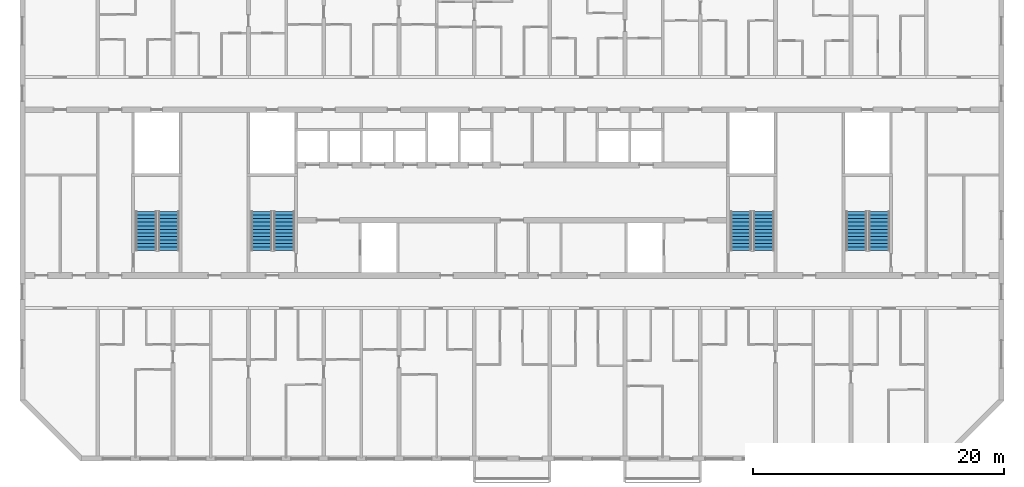
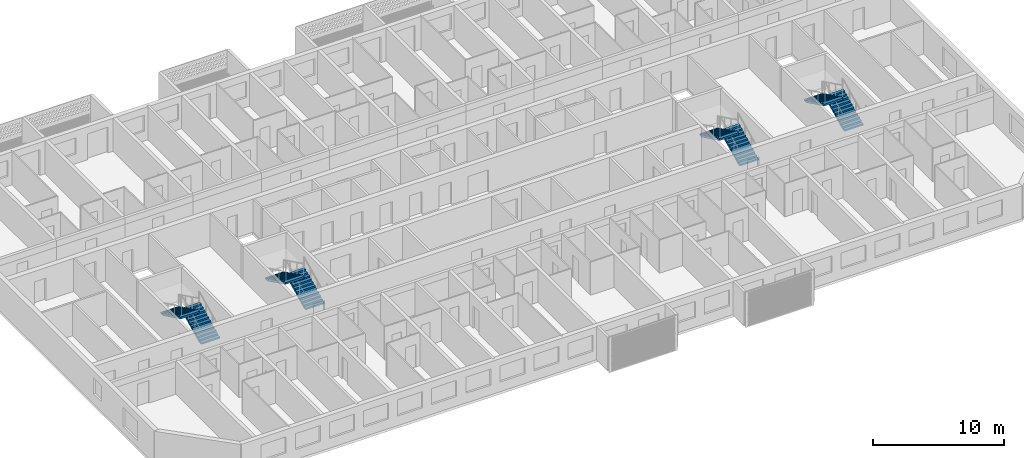
# One storey, part 13 of 31: 8 stair flights, 4 elements without a shape of their own.
"""IFC4 building model written with IfcOpenShell, lengths in metres."""

from ifc_helpers import new_model, si_unit, direction, frame, origin, place, context, subcontext, project, spatial, polyline, outline, extrude, material, layer, layer_set, type_object, element, aggregate, save


model = new_model("IFC4")

# Units and contexts
model_context = context("Model", 3, precision=1e-05, world=origin(), true_north=direction((0.0, 1.0)))
body_context = subcontext(model_context, "Body", "Model", "MODEL_VIEW")
ifc_project = project(units=[si_unit("LENGTHUNIT", "METRE"), si_unit("AREAUNIT", "SQUARE_METRE"), si_unit("VOLUMEUNIT", "CUBIC_METRE"), si_unit("PLANEANGLEUNIT", "RADIAN"), si_unit("MASSUNIT", "GRAM", prefix="KILO")], contexts=[model_context])

# Site, building, storey
site_placement = place(None, origin())
site = spatial("IfcSite", under=ifc_project, at=site_placement, CompositionType="ELEMENT")
building_placement = place(site_placement, origin())
building = spatial("IfcBuilding", under=site, at=building_placement, Name="Poui Terraces", CompositionType="ELEMENT")
storey_placement = place(building_placement, frame((0.0, 0.0, 142.199951171875)))
storey = spatial("IfcBuildingStorey", under=building, at=storey_placement, Name="L39", CompositionType="ELEMENT", Elevation=142.199951171875)

# Stair, stair flights
ifc_material = material(Name="Concrete 65 MPa", Category="concrete")
stair_type = type_object("IfcStairType", Name="EXIT STAIR 1650 65 MPA", PredefinedType="HALF_TURN_STAIR", material=ifc_material)
stair_1_placement = place(storey_placement, origin())
stair_1 = element("IfcStair", 1, at=stair_1_placement, inside=storey, type_object=stair_type, Name="L39 CORE STAIR EAST", PredefinedType="HALF_TURN_STAIR")
ifc_layer = layer(ifc_material, 0.14990234375)
ifc_layer_set = layer_set([ifc_layer], Name="Concrete 65 MPa")
stair_flight_type = type_object("IfcStairFlightType", Name="STAIR FLIGHT 12 RISERS 138 RISE 65 MPA", PredefinedType="STRAIGHT", material=ifc_layer_set)
stair_flight_1_placement = place(storey_placement, frame((71.050048828125, 16.60009765625, 0.0), z_axis=(0.0, 0.0, 1.0), x_axis=(0.0, 1.0, 0.0)))
stair_flight_1 = element("IfcStairFlight", 2, at=stair_flight_1_placement, type_object=stair_flight_type, Name="ST-CE flight 1", NumberOfRisers=12, NumberOfTreads=11, PredefinedType="STRAIGHT", RiserHeight=0.1375, TreadLength=0.28, context=body_context, shape_type="SweptSolid", body=[
    extrude(outline(polyline([(0.0, 0.0), (0.0, 0.137451171875), (0.280029296875, 0.137451171875), (0.280029296875, 0.27490234375), (0.56005859375, 0.27490234375), (0.56005859375, 0.41259765625), (0.840087890625, 0.41259765625), (0.840087890625, 0.550048828125), (1.1201171875, 0.550048828125), (1.1201171875, 0.6875), (1.39990234375, 0.6875), (1.39990234375, 0.824951171875), (1.679931640625, 0.824951171875), (1.679931640625, 0.96240234375), (1.9599609375, 0.96240234375), (1.9599609375, 1.10009765625), (2.239990234375, 1.10009765625), (2.239990234375, 1.237548828125), (2.52001953125, 1.237548828125), (2.52001953125, 1.375), (2.800048828125, 1.375), (2.800048828125, 1.512451171875), (3.080078125, 1.512451171875), (3.080078125, 1.64990234375), (3.080078125, 1.345458984375), (0.340087890625, 0.0), (0.0, 0.0)])), frame((0.0, 0.824951171875, 0.0), z_axis=(0.0, -1.0, 0.0), x_axis=(1.0, 0.0, 0.0)), (0.0, 0.0, 1.0), 1.64990234375),
])
stair_flight_2_placement = place(storey_placement, frame((69.25, 19.679931640625, 1.650146484375), z_axis=(0.0, 0.0, 1.0), x_axis=(0.0, -1.0, 0.0)))
stair_flight_2 = element("IfcStairFlight", 3, at=stair_flight_2_placement, type_object=stair_flight_type, Name="ST-CE flight 2", NumberOfRisers=12, NumberOfTreads=11, PredefinedType="STRAIGHT", RiserHeight=0.1375, TreadLength=0.28, context=body_context, shape_type="SweptSolid", body=[
    extrude(outline(polyline([(0.0, 0.0), (0.0, 0.137451171875), (0.280029296875, 0.137451171875), (0.280029296875, 0.27490234375), (0.56005859375, 0.27490234375), (0.56005859375, 0.41259765625), (0.840087890625, 0.41259765625), (0.840087890625, 0.550048828125), (1.1201171875, 0.550048828125), (1.1201171875, 0.6875), (1.39990234375, 0.6875), (1.39990234375, 0.824951171875), (1.679931640625, 0.824951171875), (1.679931640625, 0.96240234375), (1.9599609375, 0.96240234375), (1.9599609375, 1.10009765625), (2.239990234375, 1.10009765625), (2.239990234375, 1.237548828125), (2.52001953125, 1.237548828125), (2.52001953125, 1.375), (2.800048828125, 1.375), (2.800048828125, 1.512451171875), (3.080078125, 1.512451171875), (3.080078125, 1.64990234375), (3.080078125, 1.345458984375), (0.340087890625, 0.0), (0.0, 0.0)])), frame((0.0, 0.824951171875, 0.0), z_axis=(0.0, -1.0, 0.0), x_axis=(1.0, 0.0, 0.0)), (0.0, 0.0, 1.0), 1.64990234375),
])
aggregate(stair_1, [stair_flight_1, stair_flight_2])

stair_2_placement = place(storey_placement, origin())
stair_2 = element("IfcStair", 4, at=stair_2_placement, inside=storey, type_object=stair_type, Name="L39 CORE STAIR WEST", PredefinedType="HALF_TURN_STAIR")
stair_flight_3_placement = place(storey_placement, frame((32.85009765625, 16.60009765625, 0.0), z_axis=(0.0, 0.0, 1.0), x_axis=(0.0, 1.0, 0.0)))
stair_flight_3 = element("IfcStairFlight", 5, at=stair_flight_3_placement, type_object=stair_flight_type, Name="ST-CW flight 1", NumberOfRisers=12, NumberOfTreads=11, PredefinedType="STRAIGHT", RiserHeight=0.1375, TreadLength=0.28, context=body_context, shape_type="SweptSolid", body=[
    extrude(outline(polyline([(0.0, 0.0), (0.0, 0.137451171875), (0.280029296875, 0.137451171875), (0.280029296875, 0.27490234375), (0.56005859375, 0.27490234375), (0.56005859375, 0.41259765625), (0.840087890625, 0.41259765625), (0.840087890625, 0.550048828125), (1.1201171875, 0.550048828125), (1.1201171875, 0.6875), (1.39990234375, 0.6875), (1.39990234375, 0.824951171875), (1.679931640625, 0.824951171875), (1.679931640625, 0.96240234375), (1.9599609375, 0.96240234375), (1.9599609375, 1.10009765625), (2.239990234375, 1.10009765625), (2.239990234375, 1.237548828125), (2.52001953125, 1.237548828125), (2.52001953125, 1.375), (2.800048828125, 1.375), (2.800048828125, 1.512451171875), (3.080078125, 1.512451171875), (3.080078125, 1.64990234375), (3.080078125, 1.345458984375), (0.340087890625, 0.0), (0.0, 0.0)])), frame((0.0, 0.824951171875, 0.0), z_axis=(0.0, -1.0, 0.0), x_axis=(1.0, 0.0, 0.0)), (0.0, 0.0, 1.0), 1.64990234375),
])
stair_flight_4_placement = place(storey_placement, frame((31.050048828125, 19.679931640625, 1.650146484375), z_axis=(0.0, 0.0, 1.0), x_axis=(0.0, -1.0, 0.0)))
stair_flight_4 = element("IfcStairFlight", 6, at=stair_flight_4_placement, type_object=stair_flight_type, Name="ST-CW flight 2", NumberOfRisers=12, NumberOfTreads=11, PredefinedType="STRAIGHT", RiserHeight=0.1375, TreadLength=0.28, context=body_context, shape_type="SweptSolid", body=[
    extrude(outline(polyline([(0.0, 0.0), (0.0, 0.137451171875), (0.280029296875, 0.137451171875), (0.280029296875, 0.27490234375), (0.56005859375, 0.27490234375), (0.56005859375, 0.41259765625), (0.840087890625, 0.41259765625), (0.840087890625, 0.550048828125), (1.1201171875, 0.550048828125), (1.1201171875, 0.6875), (1.39990234375, 0.6875), (1.39990234375, 0.824951171875), (1.679931640625, 0.824951171875), (1.679931640625, 0.96240234375), (1.9599609375, 0.96240234375), (1.9599609375, 1.10009765625), (2.239990234375, 1.10009765625), (2.239990234375, 1.237548828125), (2.52001953125, 1.237548828125), (2.52001953125, 1.375), (2.800048828125, 1.375), (2.800048828125, 1.512451171875), (3.080078125, 1.512451171875), (3.080078125, 1.64990234375), (3.080078125, 1.345458984375), (0.340087890625, 0.0), (0.0, 0.0)])), frame((0.0, 0.824951171875, 0.0), z_axis=(0.0, -1.0, 0.0), x_axis=(1.0, 0.0, 0.0)), (0.0, 0.0, 1.0), 1.64990234375),
])
aggregate(stair_2, [stair_flight_3, stair_flight_4])

stair_3_placement = place(storey_placement, origin())
stair_3 = element("IfcStair", 7, at=stair_3_placement, inside=storey, type_object=stair_type, Name="L39 TIP STAIR EAST", PredefinedType="HALF_TURN_STAIR")
stair_flight_5_placement = place(storey_placement, frame((80.25, 16.60009765625, 0.0), z_axis=(0.0, 0.0, 1.0), x_axis=(0.0, 1.0, 0.0)))
stair_flight_5 = element("IfcStairFlight", 8, at=stair_flight_5_placement, type_object=stair_flight_type, Name="ST-E flight 1", NumberOfRisers=12, NumberOfTreads=11, PredefinedType="STRAIGHT", RiserHeight=0.1375, TreadLength=0.28, context=body_context, shape_type="SweptSolid", body=[
    extrude(outline(polyline([(0.0, 0.0), (0.0, 0.137451171875), (0.280029296875, 0.137451171875), (0.280029296875, 0.27490234375), (0.56005859375, 0.27490234375), (0.56005859375, 0.41259765625), (0.840087890625, 0.41259765625), (0.840087890625, 0.550048828125), (1.1201171875, 0.550048828125), (1.1201171875, 0.6875), (1.39990234375, 0.6875), (1.39990234375, 0.824951171875), (1.679931640625, 0.824951171875), (1.679931640625, 0.96240234375), (1.9599609375, 0.96240234375), (1.9599609375, 1.10009765625), (2.239990234375, 1.10009765625), (2.239990234375, 1.237548828125), (2.52001953125, 1.237548828125), (2.52001953125, 1.375), (2.800048828125, 1.375), (2.800048828125, 1.512451171875), (3.080078125, 1.512451171875), (3.080078125, 1.64990234375), (3.080078125, 1.345458984375), (0.340087890625, 0.0), (0.0, 0.0)])), frame((0.0, 0.824951171875, 0.0), z_axis=(0.0, -1.0, 0.0), x_axis=(1.0, 0.0, 0.0)), (0.0, 0.0, 1.0), 1.64990234375),
])
stair_flight_6_placement = place(storey_placement, frame((78.449951171875, 19.679931640625, 1.650146484375), z_axis=(0.0, 0.0, 1.0), x_axis=(0.0, -1.0, 0.0)))
stair_flight_6 = element("IfcStairFlight", 9, at=stair_flight_6_placement, type_object=stair_flight_type, Name="ST-E flight 2", NumberOfRisers=12, NumberOfTreads=11, PredefinedType="STRAIGHT", RiserHeight=0.1375, TreadLength=0.28, context=body_context, shape_type="SweptSolid", body=[
    extrude(outline(polyline([(0.0, 0.0), (0.0, 0.137451171875), (0.280029296875, 0.137451171875), (0.280029296875, 0.27490234375), (0.56005859375, 0.27490234375), (0.56005859375, 0.41259765625), (0.840087890625, 0.41259765625), (0.840087890625, 0.550048828125), (1.1201171875, 0.550048828125), (1.1201171875, 0.6875), (1.39990234375, 0.6875), (1.39990234375, 0.824951171875), (1.679931640625, 0.824951171875), (1.679931640625, 0.96240234375), (1.9599609375, 0.96240234375), (1.9599609375, 1.10009765625), (2.239990234375, 1.10009765625), (2.239990234375, 1.237548828125), (2.52001953125, 1.237548828125), (2.52001953125, 1.375), (2.800048828125, 1.375), (2.800048828125, 1.512451171875), (3.080078125, 1.512451171875), (3.080078125, 1.64990234375), (3.080078125, 1.345458984375), (0.340087890625, 0.0), (0.0, 0.0)])), frame((0.0, 0.824951171875, 0.0), z_axis=(0.0, -1.0, 0.0), x_axis=(1.0, 0.0, 0.0)), (0.0, 0.0, 1.0), 1.64990234375),
])
aggregate(stair_3, [stair_flight_5, stair_flight_6])

stair_4_placement = place(storey_placement, origin())
stair_4 = element("IfcStair", 10, at=stair_4_placement, inside=storey, type_object=stair_type, Name="L39 TIP STAIR WEST", PredefinedType="HALF_TURN_STAIR")
stair_flight_7_placement = place(storey_placement, frame((23.64990234375, 16.60009765625, 0.0), z_axis=(0.0, 0.0, 1.0), x_axis=(0.0, 1.0, 0.0)))
stair_flight_7 = element("IfcStairFlight", 11, at=stair_flight_7_placement, type_object=stair_flight_type, Name="ST-W flight 1", NumberOfRisers=12, NumberOfTreads=11, PredefinedType="STRAIGHT", RiserHeight=0.1375, TreadLength=0.28, context=body_context, shape_type="SweptSolid", body=[
    extrude(outline(polyline([(0.0, 0.0), (0.0, 0.137451171875), (0.280029296875, 0.137451171875), (0.280029296875, 0.27490234375), (0.56005859375, 0.27490234375), (0.56005859375, 0.41259765625), (0.840087890625, 0.41259765625), (0.840087890625, 0.550048828125), (1.1201171875, 0.550048828125), (1.1201171875, 0.6875), (1.39990234375, 0.6875), (1.39990234375, 0.824951171875), (1.679931640625, 0.824951171875), (1.679931640625, 0.96240234375), (1.9599609375, 0.96240234375), (1.9599609375, 1.10009765625), (2.239990234375, 1.10009765625), (2.239990234375, 1.237548828125), (2.52001953125, 1.237548828125), (2.52001953125, 1.375), (2.800048828125, 1.375), (2.800048828125, 1.512451171875), (3.080078125, 1.512451171875), (3.080078125, 1.64990234375), (3.080078125, 1.345458984375), (0.340087890625, 0.0), (0.0, 0.0)])), frame((0.0, 0.824951171875, 0.0), z_axis=(0.0, -1.0, 0.0), x_axis=(1.0, 0.0, 0.0)), (0.0, 0.0, 1.0), 1.64990234375),
])
stair_flight_8_placement = place(storey_placement, frame((21.85009765625, 19.679931640625, 1.650146484375), z_axis=(0.0, 0.0, 1.0), x_axis=(0.0, -1.0, 0.0)))
stair_flight_8 = element("IfcStairFlight", 12, at=stair_flight_8_placement, type_object=stair_flight_type, Name="ST-W flight 2", NumberOfRisers=12, NumberOfTreads=11, PredefinedType="STRAIGHT", RiserHeight=0.1375, TreadLength=0.28, context=body_context, shape_type="SweptSolid", body=[
    extrude(outline(polyline([(0.0, 0.0), (0.0, 0.137451171875), (0.280029296875, 0.137451171875), (0.280029296875, 0.27490234375), (0.56005859375, 0.27490234375), (0.56005859375, 0.41259765625), (0.840087890625, 0.41259765625), (0.840087890625, 0.550048828125), (1.1201171875, 0.550048828125), (1.1201171875, 0.6875), (1.39990234375, 0.6875), (1.39990234375, 0.824951171875), (1.679931640625, 0.824951171875), (1.679931640625, 0.96240234375), (1.9599609375, 0.96240234375), (1.9599609375, 1.10009765625), (2.239990234375, 1.10009765625), (2.239990234375, 1.237548828125), (2.52001953125, 1.237548828125), (2.52001953125, 1.375), (2.800048828125, 1.375), (2.800048828125, 1.512451171875), (3.080078125, 1.512451171875), (3.080078125, 1.64990234375), (3.080078125, 1.345458984375), (0.340087890625, 0.0), (0.0, 0.0)])), frame((0.0, 0.824951171875, 0.0), z_axis=(0.0, -1.0, 0.0), x_axis=(1.0, 0.0, 0.0)), (0.0, 0.0, 1.0), 1.64990234375),
])
aggregate(stair_4, [stair_flight_7, stair_flight_8])

save(model, "model.ifc")
